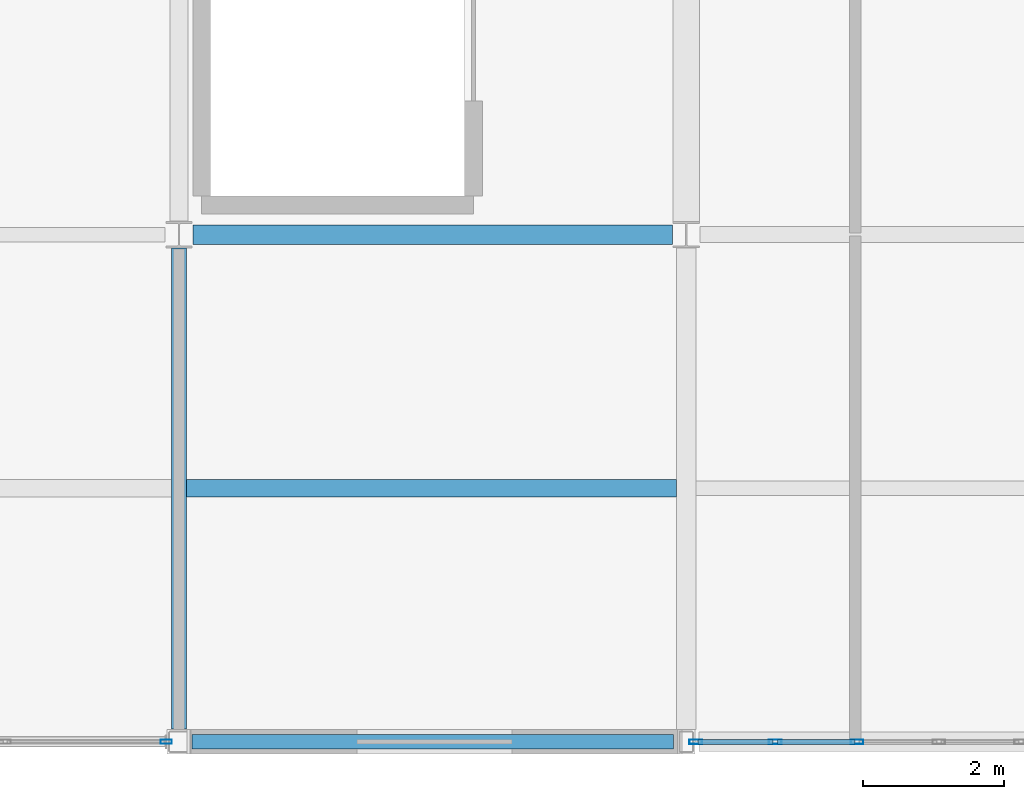
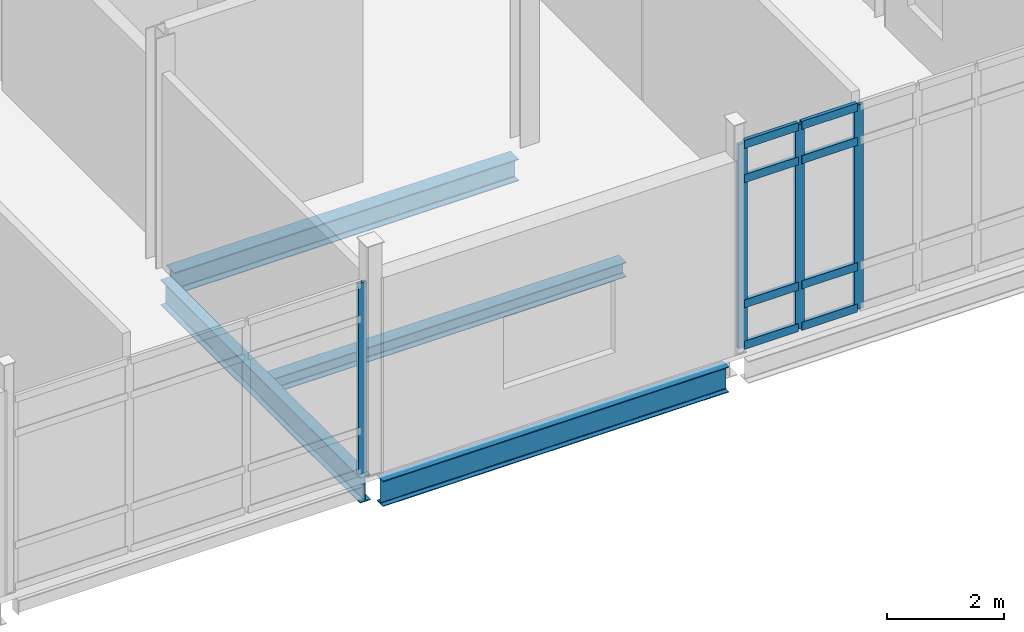
# One storey, part 24 of 72: 12 members, 4 beams, 2 elements without a shape of their own.
"""IFC4 building model written with IfcOpenShell, lengths in metres."""

from ifc_helpers import new_model, si_unit, direction, frame, origin, origin_2d, place, context, subcontext, project, spatial, hollow_rectangle, i_section, extrude, material, layer, layer_set, material_profile, profile_set, type_object, element, aggregate, save


model = new_model("IFC4")

# Units and contexts
model_context = context("Model", 3, precision=1e-05, world=origin(), true_north=direction((0.0, 1.0)))
body_context = subcontext(model_context, "Body", "Model", "MODEL_VIEW")
ifc_project = project(units=[si_unit("LENGTHUNIT", "METRE"), si_unit("AREAUNIT", "SQUARE_METRE"), si_unit("VOLUMEUNIT", "CUBIC_METRE"), si_unit("PLANEANGLEUNIT", "RADIAN"), si_unit("MASSUNIT", "GRAM", prefix="KILO")], contexts=[model_context])

# Site, building, storey
site_placement = place(None, origin())
site = spatial("IfcSite", under=ifc_project, at=site_placement, CompositionType="ELEMENT")
building_placement = place(site_placement, origin())
building = spatial("IfcBuilding", under=site, at=building_placement, Name="Calvrana Isthmian Art Gallery", CompositionType="ELEMENT")
storey_placement = place(building_placement, frame((0.0, 0.0, 15.0)))
storey = spatial("IfcBuildingStorey", under=building, at=storey_placement, Name="L03", CompositionType="ELEMENT", Elevation=15.0)

# Beams
ifc_material_1 = material(Name="Steel ASTM A992 Gr 50", Category="steel")
ifc_material_profile_1 = material_profile(ifc_material_1, i_section(OverallWidth=0.279052734375, OverallDepth=0.4619140625, WebThickness=0.0107421875, FlangeThickness=0.017333984375, FilletRadius=0.02001953125, at=origin_2d()), Name="W18X76")
ifc_profile_set_1 = profile_set([ifc_material_profile_1], Name="Steel ASTM A992 Gr 50")
beam_type_1 = type_object("IfcBeamType", Name="BM-G-W18X76", PredefinedType="BEAM", material=ifc_profile_set_1)
beam_1_placement = place(storey_placement, frame((127.39794921875, 21.60009765625, -0.47607421875), z_axis=(1.0, 0.0, 0.0), x_axis=(0.0, 1.0, 0.0)))
element("IfcBeam", 1, at=beam_1_placement, inside=storey, type_object=beam_type_1, Name="Girder X L03 17-18/D", PredefinedType="BEAM", context=body_context, shape_type="SweptSolid", body=[
    extrude(i_section(OverallWidth=0.279052734375, OverallDepth=0.4619140625, WebThickness=0.0107421875, FlangeThickness=0.017333984375, FilletRadius=0.02001953125, at=origin_2d()), origin(), (0.0, 0.0, 1.0), 6.804931640625),
])
ifc_material_profile_2 = material_profile(ifc_material_1, i_section(OverallWidth=0.208984375, OverallDepth=0.532958984375, WebThickness=0.01025390625, FlangeThickness=0.015625, FilletRadius=0.02099609375, at=origin_2d()), Name="W21X62")
ifc_profile_set_2 = profile_set([ifc_material_profile_2], Name="Steel ASTM A992 Gr 50")
beam_type_2 = type_object("IfcBeamType", Name="BM-G-W21X62", PredefinedType="BEAM", material=ifc_profile_set_2)
beam_2_placement = place(storey_placement, frame((127.385498046875, 14.39990234375, -0.511474609375), z_axis=(1.0, 0.0, 0.0), x_axis=(0.0, 1.0, 0.0)))
element("IfcBeam", 2, at=beam_2_placement, inside=storey, type_object=beam_type_2, Name="Girder X L03 17-18/C", PredefinedType="BEAM", context=body_context, shape_type="SweptSolid", body=[
    extrude(i_section(OverallWidth=0.208984375, OverallDepth=0.532958984375, WebThickness=0.01025390625, FlangeThickness=0.015625, FilletRadius=0.02099609375, at=origin_2d()), origin(), (0.0, 0.0, 1.0), 6.83056640625),
])
beam_3_placement = place(storey_placement, frame((127.199951171875, 14.58154296875, -0.511474609375), z_axis=(0.0, 1.0, 0.0), x_axis=(-1.0, 0.0, 0.0)))
element("IfcBeam", 3, at=beam_3_placement, inside=storey, type_object=beam_type_2, Name="Girder Y L03 17/C-D", PredefinedType="BEAM", context=body_context, shape_type="SweptSolid", body=[
    extrude(i_section(OverallWidth=0.208984375, OverallDepth=0.532958984375, WebThickness=0.01025390625, FlangeThickness=0.015625, FilletRadius=0.02099609375, at=origin_2d()), origin(), (0.0, 0.0, 1.0), 6.827880859375),
])
ifc_material_profile_3 = material_profile(ifc_material_1, i_section(OverallWidth=0.25390625, OverallDepth=0.306884765625, WebThickness=0.0087890625, FlangeThickness=0.0146484375, FilletRadius=0.01611328125, at=origin_2d()), Name="W12X53")
ifc_profile_set_3 = profile_set([ifc_material_profile_3], Name="Steel ASTM A992 Gr 50")
beam_type_3 = type_object("IfcBeamType", Name="BM-J-W12X53", PredefinedType="JOIST", material=ifc_profile_set_3)
beam_4_placement = place(storey_placement, frame((127.304443359375, 18.0, -0.3984375), z_axis=(1.0, 0.0, 0.0), x_axis=(0.0, 1.0, 0.0)))
element("IfcBeam", 4, at=beam_4_placement, inside=storey, type_object=beam_type_3, Name="Composite joist L03 bay 16-02", PredefinedType="JOIST", context=body_context, shape_type="SweptSolid", body=[
    extrude(i_section(OverallWidth=0.25390625, OverallDepth=0.306884765625, WebThickness=0.0087890625, FlangeThickness=0.0146484375, FilletRadius=0.01611328125, at=origin_2d()), origin(), (0.0, 0.0, 1.0), 6.9560546875),
])

# Curtain wall, member
ifc_material_2 = material(Name="Anodized bronze aluminium 6063-T6", Category="aluminium")
ifc_layer_1 = layer(ifc_material_2, 0.179931640625, Name="Anodized bronze aluminium 6063-T6")
ifc_layer_set_1 = layer_set([ifc_layer_1], Name="Anodized bronze aluminium 6063-T6")
curtain_wall_type_1 = type_object("IfcCurtainWallType", Name="CW-STICK-069X40", PredefinedType="NOTDEFINED", material=ifc_layer_set_1)
curtain_wall_1_placement = place(storey_placement, origin())
curtain_wall_1 = element("IfcCurtainWall", 5, at=curtain_wall_1_placement, inside=storey, type_object=curtain_wall_type_1, Name="Curtain wall CW-187", PredefinedType="NOTDEFINED")
ifc_material_profile_4 = material_profile(ifc_material_2, hollow_rectangle(XDim=0.06005859375, YDim=0.159912109375, WallThickness=0.00390625, at=origin_2d()), Name="CWM60X160")
ifc_profile_set_4 = profile_set([ifc_material_profile_4], Name="Anodized bronze aluminium 6063-T6")
member_type_1 = type_object("IfcMemberType", Name="CWM-CWM60X160", PredefinedType="MULLION", material=ifc_profile_set_4)
member_1_placement = place(storey_placement, frame((127.017578125, 14.39990234375, 0.0), z_axis=(0.0, 0.0, 1.0), x_axis=(0.0, -1.0, 0.0)))
member_1 = element("IfcMember", 6, at=member_1_placement, type_object=member_type_1, Name="CW-187 mullion 1", PredefinedType="MULLION", context=body_context, shape_type="SweptSolid", body=[
    extrude(hollow_rectangle(XDim=0.06005859375, YDim=0.159912109375, WallThickness=0.00390625, at=origin_2d()), origin(), (0.0, 0.0, 1.0), 3.987060546875),
])
aggregate(curtain_wall_1, [member_1])

# Curtain wall, members
ifc_layer_2 = layer(ifc_material_2, 0.179931640625, Name="Anodized bronze aluminium 6063-T6")
ifc_layer_set_2 = layer_set([ifc_layer_2], Name="Anodized bronze aluminium 6063-T6")
curtain_wall_type_2 = type_object("IfcCurtainWallType", Name="CW-STICK-070X43", PredefinedType="NOTDEFINED", material=ifc_layer_set_2)
curtain_wall_2_placement = place(storey_placement, origin())
curtain_wall_2 = element("IfcCurtainWall", 7, at=curtain_wall_2_placement, inside=storey, type_object=curtain_wall_type_2, Name="Curtain wall CW-188", PredefinedType="NOTDEFINED")
ifc_material_profile_5 = material_profile(ifc_material_2, hollow_rectangle(XDim=0.06494140625, YDim=0.179931640625, WallThickness=0.00439453125, at=origin_2d()), Name="CWM65X180")
ifc_profile_set_5 = profile_set([ifc_material_profile_5], Name="Anodized bronze aluminium 6063-T6")
member_type_2 = type_object("IfcMemberType", Name="CWM-CWM65X180", PredefinedType="MULLION", material=ifc_profile_set_5)
member_2_placement = place(storey_placement, frame((136.825439453125, 14.39990234375, 0.0), z_axis=(0.0, 0.0, 1.0), x_axis=(0.0, -1.0, 0.0)))
member_2 = element("IfcMember", 8, at=member_2_placement, type_object=member_type_2, Name="CW-188 mullion 5", PredefinedType="MULLION", context=body_context, shape_type="SweptSolid", body=[
    extrude(hollow_rectangle(XDim=0.06494140625, YDim=0.179931640625, WallThickness=0.00439453125, at=origin_2d()), origin(), (0.0, 0.0, 1.0), 4.26611328125),
])
member_3_placement = place(storey_placement, frame((135.66357421875, 14.39990234375, 0.0), z_axis=(0.0, 0.0, 1.0), x_axis=(0.0, -1.0, 0.0)))
member_3 = element("IfcMember", 9, at=member_3_placement, type_object=member_type_2, Name="CW-188 mullion 6", PredefinedType="MULLION", context=body_context, shape_type="SweptSolid", body=[
    extrude(hollow_rectangle(XDim=0.06494140625, YDim=0.179931640625, WallThickness=0.00439453125, at=origin_2d()), origin(), (0.0, 0.0, 1.0), 4.26611328125),
])
member_4_placement = place(storey_placement, frame((134.5341796875, 14.39990234375, 0.0), z_axis=(0.0, 0.0, 1.0), x_axis=(0.0, -1.0, 0.0)))
member_4 = element("IfcMember", 10, at=member_4_placement, type_object=member_type_2, Name="CW-188 mullion 7", PredefinedType="MULLION", context=body_context, shape_type="SweptSolid", body=[
    extrude(hollow_rectangle(XDim=0.06494140625, YDim=0.179931640625, WallThickness=0.00439453125, at=origin_2d()), origin(), (0.0, 0.0, 1.0), 4.26611328125),
])
ifc_material_profile_6 = material_profile(ifc_material_2, hollow_rectangle(XDim=0.070068359375, YDim=0.169921875, WallThickness=0.00439453125, at=origin_2d()), Name="CWT70X170")
ifc_profile_set_6 = profile_set([ifc_material_profile_6], Name="Anodized bronze aluminium 6063-T6")
member_type_3 = type_object("IfcMemberType", Name="CWT-CWT70X170", PredefinedType="USERDEFINED", material=ifc_profile_set_6)
member_5_placement = place(storey_placement, frame((136.79296875, 14.39990234375, 0.034912109375), z_axis=(-1.0, 0.0, 0.0), x_axis=(0.0, -1.0, 0.0)))
member_5 = element("IfcMember", 11, at=member_5_placement, type_object=member_type_3, Name="CW-188 transom 5.1", ObjectType="TRANSOM", PredefinedType="USERDEFINED", context=body_context, shape_type="SweptSolid", body=[
    extrude(hollow_rectangle(XDim=0.070068359375, YDim=0.169921875, WallThickness=0.00439453125, at=origin_2d()), origin(), (0.0, 0.0, 1.0), 1.096923828125),
])
member_6_placement = place(storey_placement, frame((136.79296875, 14.39990234375, 0.89990234375), z_axis=(-1.0, 0.0, 0.0), x_axis=(0.0, -1.0, 0.0)))
member_6 = element("IfcMember", 12, at=member_6_placement, type_object=member_type_3, Name="CW-188 transom 5.2", ObjectType="TRANSOM", PredefinedType="USERDEFINED", context=body_context, shape_type="SweptSolid", body=[
    extrude(hollow_rectangle(XDim=0.070068359375, YDim=0.169921875, WallThickness=0.00439453125, at=origin_2d()), origin(), (0.0, 0.0, 1.0), 1.096923828125),
])
member_7_placement = place(storey_placement, frame((136.79296875, 14.39990234375, 3.51611328125), z_axis=(-1.0, 0.0, 0.0), x_axis=(0.0, -1.0, 0.0)))
member_7 = element("IfcMember", 13, at=member_7_placement, type_object=member_type_3, Name="CW-188 transom 5.3", ObjectType="TRANSOM", PredefinedType="USERDEFINED", context=body_context, shape_type="SweptSolid", body=[
    extrude(hollow_rectangle(XDim=0.070068359375, YDim=0.169921875, WallThickness=0.00439453125, at=origin_2d()), origin(), (0.0, 0.0, 1.0), 1.096923828125),
])
member_8_placement = place(storey_placement, frame((136.79296875, 14.39990234375, 4.23095703125), z_axis=(-1.0, 0.0, 0.0), x_axis=(0.0, -1.0, 0.0)))
member_8 = element("IfcMember", 14, at=member_8_placement, type_object=member_type_3, Name="CW-188 transom 5.4", ObjectType="TRANSOM", PredefinedType="USERDEFINED", context=body_context, shape_type="SweptSolid", body=[
    extrude(hollow_rectangle(XDim=0.070068359375, YDim=0.169921875, WallThickness=0.00439453125, at=origin_2d()), origin(), (0.0, 0.0, 1.0), 1.096923828125),
])
member_9_placement = place(storey_placement, frame((135.631103515625, 14.39990234375, 0.034912109375), z_axis=(-1.0, 0.0, 0.0), x_axis=(0.0, -1.0, 0.0)))
member_9 = element("IfcMember", 15, at=member_9_placement, type_object=member_type_3, Name="CW-188 transom 6.1", ObjectType="TRANSOM", PredefinedType="USERDEFINED", context=body_context, shape_type="SweptSolid", body=[
    extrude(hollow_rectangle(XDim=0.070068359375, YDim=0.169921875, WallThickness=0.00439453125, at=origin_2d()), origin(), (0.0, 0.0, 1.0), 1.064453125),
])
member_10_placement = place(storey_placement, frame((135.631103515625, 14.39990234375, 0.89990234375), z_axis=(-1.0, 0.0, 0.0), x_axis=(0.0, -1.0, 0.0)))
member_10 = element("IfcMember", 16, at=member_10_placement, type_object=member_type_3, Name="CW-188 transom 6.2", ObjectType="TRANSOM", PredefinedType="USERDEFINED", context=body_context, shape_type="SweptSolid", body=[
    extrude(hollow_rectangle(XDim=0.070068359375, YDim=0.169921875, WallThickness=0.00439453125, at=origin_2d()), origin(), (0.0, 0.0, 1.0), 1.064453125),
])
member_11_placement = place(storey_placement, frame((135.631103515625, 14.39990234375, 3.51611328125), z_axis=(-1.0, 0.0, 0.0), x_axis=(0.0, -1.0, 0.0)))
member_11 = element("IfcMember", 17, at=member_11_placement, type_object=member_type_3, Name="CW-188 transom 6.3", ObjectType="TRANSOM", PredefinedType="USERDEFINED", context=body_context, shape_type="SweptSolid", body=[
    extrude(hollow_rectangle(XDim=0.070068359375, YDim=0.169921875, WallThickness=0.00439453125, at=origin_2d()), origin(), (0.0, 0.0, 1.0), 1.064453125),
])
member_12_placement = place(storey_placement, frame((135.631103515625, 14.39990234375, 4.23095703125), z_axis=(-1.0, 0.0, 0.0), x_axis=(0.0, -1.0, 0.0)))
member_12 = element("IfcMember", 18, at=member_12_placement, type_object=member_type_3, Name="CW-188 transom 6.4", ObjectType="TRANSOM", PredefinedType="USERDEFINED", context=body_context, shape_type="SweptSolid", body=[
    extrude(hollow_rectangle(XDim=0.070068359375, YDim=0.169921875, WallThickness=0.00439453125, at=origin_2d()), origin(), (0.0, 0.0, 1.0), 1.064453125),
])
aggregate(curtain_wall_2, [member_2, member_3, member_4, member_5, member_6, member_7, member_8, member_9, member_10, member_11, member_12])

save(model, "model.ifc")
